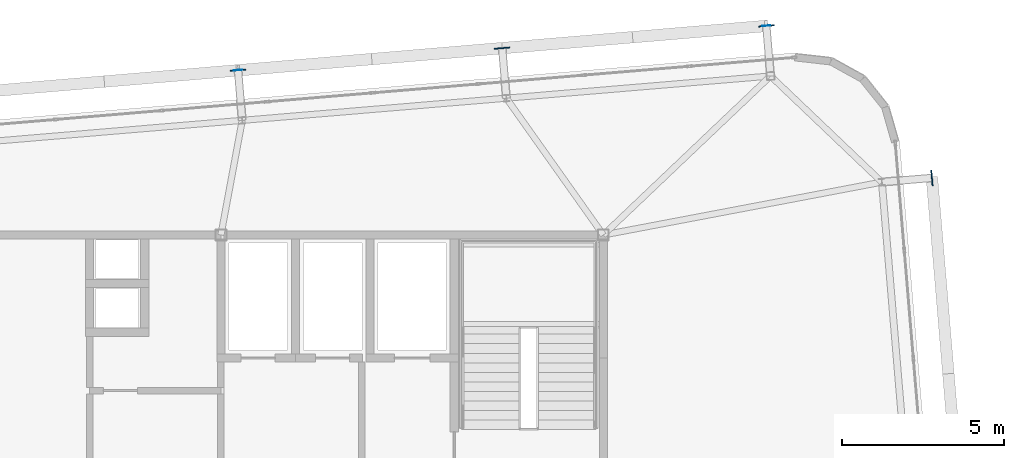
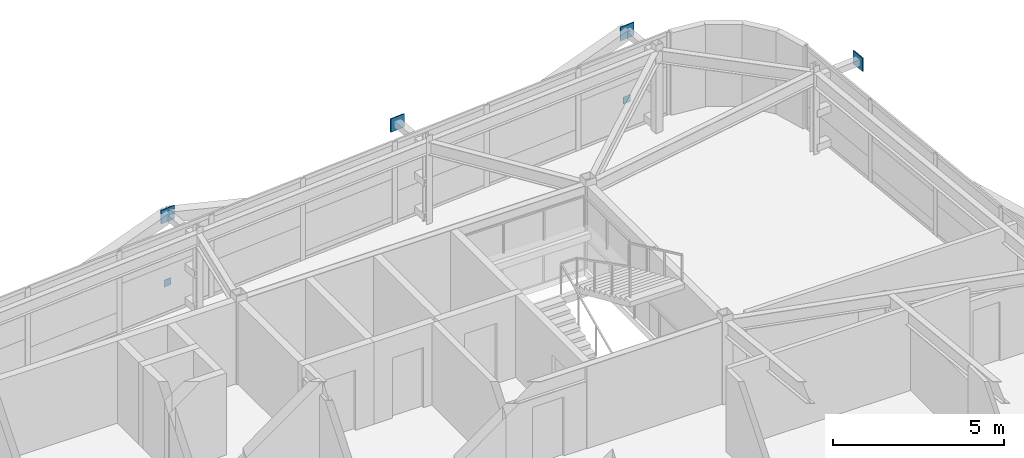
# One storey, part 39 of 44: 6 plates.
"""IFC4 building model written with IfcOpenShell, lengths in metres."""

from ifc_helpers import new_model, si_unit, direction, frame, origin, origin_2d, place, context, subcontext, project, spatial, rectangle, extrude, source, transform, mapped, material, layer, layer_set, type_object, element, save


model = new_model("IFC4")

# Units and contexts
model_context = context("Model", 3, precision=1e-05, world=origin(), true_north=direction((0.0, 1.0)))
body_context = subcontext(model_context, "Body", "Model", "MODEL_VIEW")
ifc_project = project(units=[si_unit("LENGTHUNIT", "METRE"), si_unit("AREAUNIT", "SQUARE_METRE"), si_unit("VOLUMEUNIT", "CUBIC_METRE"), si_unit("PLANEANGLEUNIT", "RADIAN"), si_unit("MASSUNIT", "GRAM", prefix="KILO")], contexts=[model_context])

# Site, building, storey
site_placement = place(None, origin())
site = spatial("IfcSite", under=ifc_project, at=site_placement, CompositionType="ELEMENT")
building_placement = place(site_placement, origin())
building = spatial("IfcBuilding", under=site, at=building_placement, Name="Taldren Reach Tower", CompositionType="ELEMENT")
storey_placement = place(building_placement, frame((0.0, 0.0, 191.449951171875)))
storey = spatial("IfcBuildingStorey", under=building, at=storey_placement, Name="L58", CompositionType="ELEMENT", Elevation=191.449951171875)

# Plates
ifc_material_1 = material(Name="Steel Gr 350 (C350L0)", Category="steel")
ifc_layer_1 = layer(ifc_material_1, 0.011962890625)
ifc_layer_set_1 = layer_set([ifc_layer_1], Name="Steel Gr 350 (C350L0)")
plate_type_1 = type_object("IfcPlateType", Name="PL-CAP-250", PredefinedType="SHEET", material=ifc_layer_set_1)
shared_shape_1 = source(origin(), body_context, "Body", "SweptSolid", [
    extrude(rectangle(XDim=0.25, YDim=0.011962890625, at=origin_2d()), origin(), (0.0, 0.0, 1.0), 0.25),
])
for number, where, z_axis, x_axis, name in (
    (1, (39.7275390625, 37.087646484375, 0.094970703125), (0.0, 0.0, 1.0), (0.99649285925, 0.083677843332, 0.0), "Tie strut end cap plate B4-N4 L58"),
    (2, (56.030029296875, 38.45654296875, 0.094970703125), (0.0, 0.0, 1.0), (0.99649285925, 0.083677843332, 0.0), "Tie strut end cap plate B4-N6 L58"),
):
    element("IfcPlate", number, at=place(storey_placement, frame(where, z_axis=z_axis, x_axis=x_axis)), inside=storey, type_object=plate_type_1, Name=name, PredefinedType="SHEET", context=body_context, shape_type="MappedRepresentation", body=[
        mapped(shared_shape_1, transform((0.0, 0.0, 0.0), scale=1.0)),
    ])
ifc_material_2 = material(Name="Steel Gr 450 (C450L0)", Category="steel")
ifc_layer_2 = layer(ifc_material_2, 0.031982421875)
ifc_layer_set_2 = layer_set([ifc_layer_2], Name="Steel Gr 450 (C450L0)")
plate_type_2 = type_object("IfcPlateType", Name="PL-GUSSET-32", PredefinedType="SHEET", material=ifc_layer_set_2)
shared_shape_2 = source(origin(), body_context, "Body", "SweptSolid", [
    extrude(rectangle(XDim=0.47998046875, YDim=0.031982421875, at=origin_2d()), origin(), (0.0, 0.0, 1.0), 0.47998046875),
])
for number, where, z_axis, x_axis, name in (
    (3, (39.72802734375, 37.08154296875, 2.41015625), (0.0, 0.0, 1.0), (0.99649285925, 0.083677843332, 0.0), "Exoskeleton star-node gusset plate B4-N4 L58"),
    (4, (47.87939453125, 37.76611328125, 2.41015625), (0.0, 0.0, 1.0), (0.99649285925, 0.083677843332, 0.0), "Exoskeleton star-node gusset plate B4-N5 L58"),
    (5, (56.03076171875, 38.450439453125, 2.41015625), (0.0, 0.0, 1.0), (0.99649285925, 0.083677843332, 0.0), "Exoskeleton star-node gusset plate B4-N6 L58"),
    (6, (61.140869140625, 33.76171875, 2.41015625), (0.0, 0.0, 1.0), (-0.083677843332, 0.99649285925, 0.0), "Exoskeleton star-node gusset plate B4-E3 L58"),
):
    element("IfcPlate", number, at=place(storey_placement, frame(where, z_axis=z_axis, x_axis=x_axis)), inside=storey, type_object=plate_type_2, Name=name, PredefinedType="SHEET", context=body_context, shape_type="MappedRepresentation", body=[
        mapped(shared_shape_2, transform((0.0, 0.0, 0.0), scale=1.0)),
    ])

save(model, "model.ifc")
